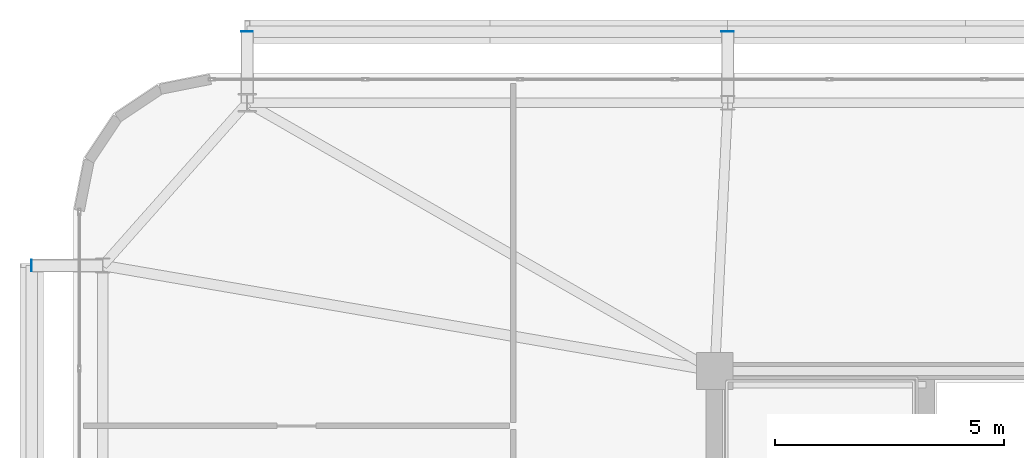
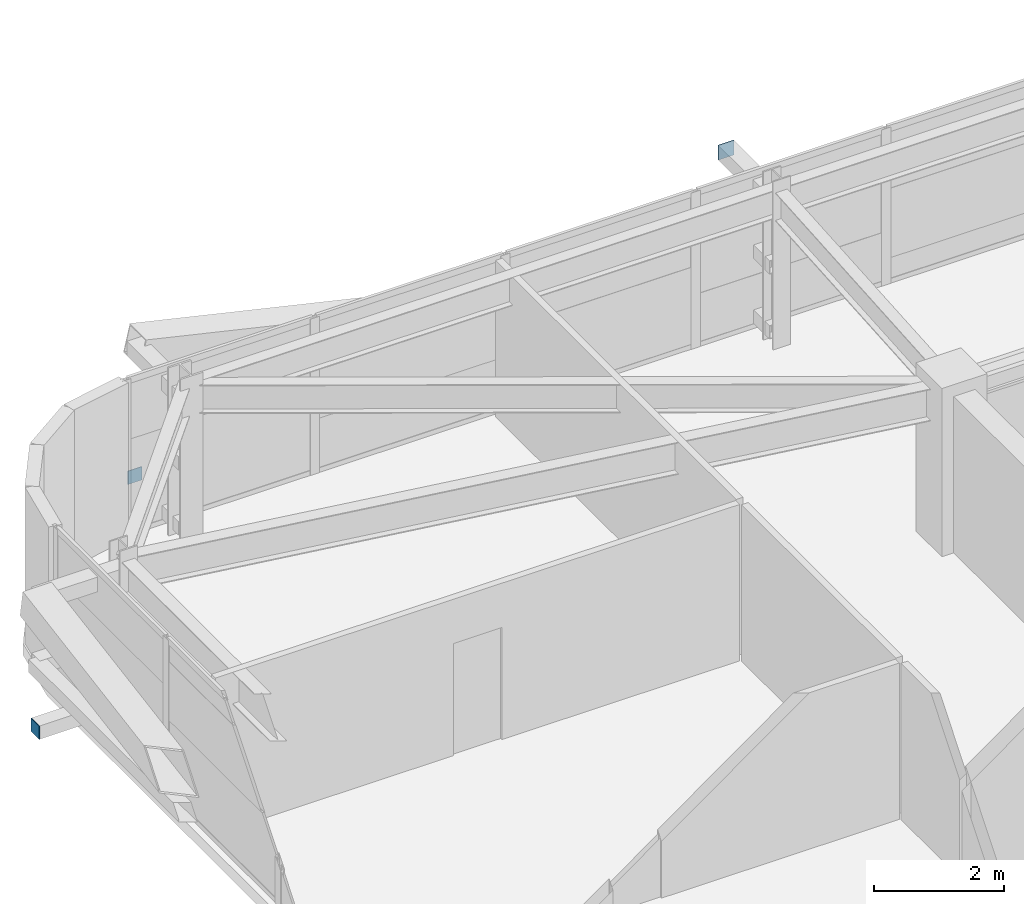
# One storey, part 49 of 58: 3 plates.
"""IFC4 building model written with IfcOpenShell, lengths in metres."""

from ifc_helpers import new_model, si_unit, direction, frame, origin, origin_2d, place, context, subcontext, project, spatial, rectangle, extrude, source, transform, mapped, material, layer, layer_set, type_object, element, save


model = new_model("IFC4")

# Units and contexts
model_context = context("Model", 3, precision=1e-05, world=origin(), true_north=direction((0.0, 1.0)))
body_context = subcontext(model_context, "Body", "Model", "MODEL_VIEW")
ifc_project = project(units=[si_unit("LENGTHUNIT", "METRE"), si_unit("AREAUNIT", "SQUARE_METRE"), si_unit("VOLUMEUNIT", "CUBIC_METRE"), si_unit("PLANEANGLEUNIT", "RADIAN"), si_unit("MASSUNIT", "GRAM", prefix="KILO")], contexts=[model_context])

# Site, building, storey
site_placement = place(None, origin())
site = spatial("IfcSite", under=ifc_project, at=site_placement, CompositionType="ELEMENT")
building_placement = place(site_placement, origin())
building = spatial("IfcBuilding", under=site, at=building_placement, Name="Taldren Reach Tower", CompositionType="ELEMENT")
storey_placement = place(building_placement, frame((0.0, 0.0, 32.550048828125)))
storey = spatial("IfcBuildingStorey", under=building, at=storey_placement, Name="L09", CompositionType="ELEMENT", Elevation=32.550048828125)

# Plates
ifc_material_1 = material(Name="Steel Gr 450 (C450L0)", Category="steel")
ifc_layer_1 = layer(ifc_material_1, 0.011962890625)
ifc_layer_set_1 = layer_set([ifc_layer_1], Name="Steel Gr 450 (C450L0)")
plate_type_1 = type_object("IfcPlateType", Name="PL-CAP-275", PredefinedType="SHEET", material=ifc_layer_set_1)
shared_shape_1 = source(origin(), body_context, "Body", "SweptSolid", [
    extrude(rectangle(XDim=0.27490234375, YDim=0.011962890625, at=origin_2d()), origin(), (0.0, 0.0, 1.0), 0.27490234375),
])
plate_1_placement = place(storey_placement, frame((19.280029296875, 39.406005859375, 2.512451171875), z_axis=(0.0, 0.0, 1.0), x_axis=(1.0, 0.0, 0.0)))
element("IfcPlate", 1, at=plate_1_placement, inside=storey, type_object=plate_type_1, Name="Tie strut end cap plate B1-N2 L09", PredefinedType="SHEET", context=body_context, shape_type="MappedRepresentation", body=[
    mapped(shared_shape_1, transform((0.0, 0.0, 0.0), scale=1.0)),
])
ifc_material_2 = material(Name="Steel Gr 350 (C350L0)", Category="steel")
ifc_layer_2 = layer(ifc_material_2, 0.011962890625)
ifc_layer_set_2 = layer_set([ifc_layer_2], Name="Steel Gr 350 (C350L0)")
plate_type_2 = type_object("IfcPlateType", Name="PL-CAP-250", PredefinedType="SHEET", material=ifc_layer_set_2)
shared_shape_2 = source(origin(), body_context, "Body", "SweptSolid", [
    extrude(rectangle(XDim=0.25, YDim=0.011962890625, at=origin_2d()), origin(), (0.0, 0.0, 1.0), 0.25),
])
plate_2_placement = place(storey_placement, frame((8.800048828125, 39.406005859375, 0.094970703125), z_axis=(0.0, 0.0, 1.0), x_axis=(1.0, 0.0, 0.0)))
element("IfcPlate", 2, at=plate_2_placement, inside=storey, type_object=plate_type_2, Name="Tie strut end cap plate B1-N1 L09", PredefinedType="SHEET", context=body_context, shape_type="MappedRepresentation", body=[
    mapped(shared_shape_2, transform((0.0, 0.0, 0.0), scale=1.0)),
])
shared_shape_3 = source(origin(), body_context, "Body", "SweptSolid", [
    extrude(rectangle(XDim=0.011962890625, YDim=0.25, at=origin_2d()), origin(), (0.0, 0.0, 1.0), 0.25),
])
plate_3_placement = place(storey_placement, frame((4.093994140625, 34.300048828125, 0.094970703125), z_axis=(0.0, 0.0, 1.0), x_axis=(1.0, 0.0, 0.0)))
element("IfcPlate", 3, at=plate_3_placement, inside=storey, type_object=plate_type_2, Name="Tie strut end cap plate B1-W3 L09", PredefinedType="SHEET", context=body_context, shape_type="MappedRepresentation", body=[
    mapped(shared_shape_3, transform((0.0, 0.0, 0.0), scale=1.0)),
])

save(model, "model.ifc")
